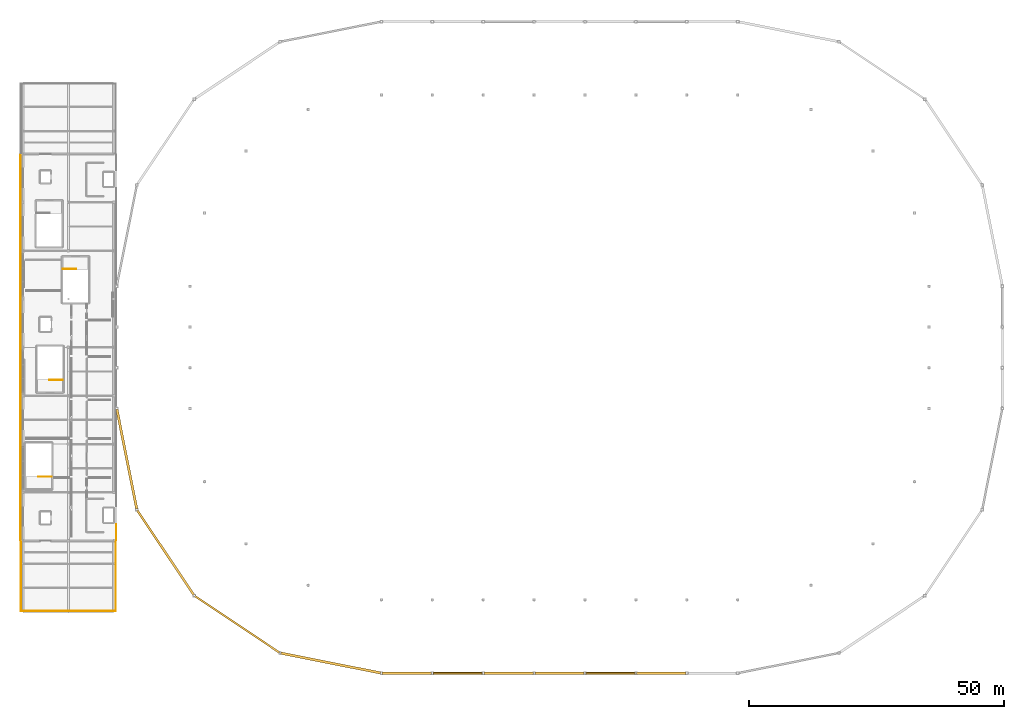
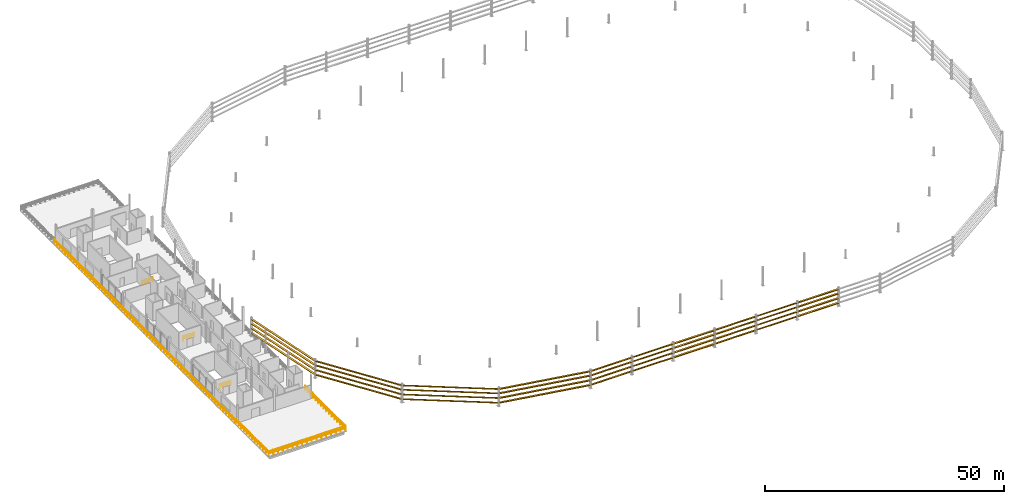
# One storey, part 27 of 29: 40 shading devices, 8 railings.
"""IFC4 building model written with IfcOpenShell, lengths in metres."""

import ifcopenshell
import ifcopenshell.guid

model = None  # the IFC model being written
_history = None  # IfcOwnerHistory: only IFC2X3 demands one
_inside = {}  # id of a spatial element -> (the spatial element, [elements in it])
_under = {}  # id of a project, library or spatial element -> (it, [spatial elements below it])
_declared = {}  # id of a project -> (the project, [libraries it declares])
_typed = {}  # id of a type object -> (the type object, [elements of that type])
_made_of = {}  # id of a material, layer set ... -> (it, [elements and type objects made of it])


def new_model(schema):
    """Start an empty IFC model of exactly this schema.

    Asked for "IFC4X3", IfcOpenShell would pick the latest addendum, in which some entities
    have other attributes; the version numbers below select the first issue.
    IFC2X3 requires an IfcOwnerHistory on every rooted entity: one is made here for all.
    """
    global model, _history
    if schema == "IFC4X3":
        model = ifcopenshell.file(schema_version=(4, 3, 0, 0))
    else:
        model = ifcopenshell.file(schema=schema)
    _inside.clear()
    _under.clear()
    _declared.clear()
    _typed.clear()
    _made_of.clear()
    _history = None
    if model.schema == "IFC2X3":
        org = make("IfcOrganization", Name="unknown")
        user = make(
            "IfcPersonAndOrganization",
            ThePerson=make("IfcPerson", FamilyName="unknown"),
            TheOrganization=org,
        )
        app = make(
            "IfcApplication",
            ApplicationDeveloper=org,
            Version="unknown",
            ApplicationFullName="unknown",
            ApplicationIdentifier="unknown",
        )
        _history = make(
            "IfcOwnerHistory",
            OwningUser=user,
            OwningApplication=app,
            ChangeAction="ADDED",
            CreationDate=0,
        )
    return model


def make(cls, **values):
    """One entity of the class cls with the attributes given. An attribute that is None is left unset."""
    return model.create_entity(
        cls, **{name: value for name, value in values.items() if value is not None}
    )


def rooted(cls, **values):
    """An entity with a GlobalId (a new one), such as an element, a storey or a relation."""
    return make(cls, GlobalId=ifcopenshell.guid.new(), OwnerHistory=_history, **values)


def si_unit(unit_type, name, prefix=None):
    """IfcSIUnit, for example si_unit("LENGTHUNIT", "METRE", prefix="MILLI")."""
    return make("IfcSIUnit", UnitType=unit_type, Prefix=prefix, Name=name)


def assignment(units):
    """IfcUnitAssignment: the units of a project."""
    return None if units is None else make("IfcUnitAssignment", Units=units)


def point(xyz):
    """IfcCartesianPoint."""
    return None if xyz is None else make("IfcCartesianPoint", Coordinates=xyz)


def direction(xyz):
    """IfcDirection."""
    return None if xyz is None else make("IfcDirection", DirectionRatios=xyz)


def frame(location, z_axis=None, x_axis=None):
    """IfcAxis2Placement3D, a coordinate frame: its origin and axes. An axis left out is left unset."""
    return make(
        "IfcAxis2Placement3D",
        Location=point(location),
        Axis=direction(z_axis),
        RefDirection=direction(x_axis),
    )


def frame_2d(location, x_axis=None):
    """IfcAxis2Placement2D, a coordinate frame in the plane: its origin and x axis."""
    return make(
        "IfcAxis2Placement2D", Location=point(location), RefDirection=direction(x_axis)
    )


def origin():
    """The frame at (0, 0, 0) with its axes left unset."""
    return frame((0.0, 0.0, 0.0))


def origin_2d():
    """The frame at (0, 0) in the plane with its x axis left unset."""
    return frame_2d((0.0, 0.0))


def place(relative_to, where):
    """IfcLocalPlacement: puts the frame where relative to a parent placement (None: the world)."""
    return make(
        "IfcLocalPlacement", PlacementRelTo=relative_to, RelativePlacement=where
    )


def context(
    kind, dimensions, precision=None, world=None, true_north=None, identifier=None
):
    """IfcGeometricRepresentationContext, for example the 3D "Model" context."""
    return make(
        "IfcGeometricRepresentationContext",
        ContextIdentifier=identifier,
        ContextType=kind,
        CoordinateSpaceDimension=dimensions,
        Precision=precision,
        WorldCoordinateSystem=world,
        TrueNorth=true_north,
    )


def subcontext(parent, identifier, kind, view, scale=None):
    """IfcGeometricRepresentationSubContext, for example "Body" below "Model"."""
    return make(
        "IfcGeometricRepresentationSubContext",
        ContextIdentifier=identifier,
        ContextType=kind,
        ParentContext=parent,
        TargetScale=scale,
        TargetView=view,
    )


def project(units=None, contexts=None):
    """IfcProject with its units and contexts."""
    return rooted(
        "IfcProject",
        Name="project",
        RepresentationContexts=contexts,
        UnitsInContext=assignment(units),
    )


def spatial(cls, under=None, at=None, **own):
    """A site, building, storey or space (cls), placed at a placement, below another one or the project."""
    s = rooted(cls, ObjectPlacement=at, **own)
    if under is not None:
        _under.setdefault(under.id(), (under, []))[1].append(s)
    return s


def profile(cls, at=None, kind="AREA", **sizes):
    """A parametric profile (cls). Its sizes go by their IFC names, for example OverallWidth=200.0."""
    return make(cls, ProfileType=kind, Position=at, **sizes)


def rectangle(**sizes):
    """IfcRectangleProfileDef."""
    return profile("IfcRectangleProfileDef", **sizes)


def circle(**sizes):
    """IfcCircleProfileDef."""
    return profile("IfcCircleProfileDef", **sizes)


def extrude(swept, where, along, depth):
    """IfcExtrudedAreaSolid: the profile swept, set in the frame where, extruded along a direction by depth."""
    return make(
        "IfcExtrudedAreaSolid",
        SweptArea=swept,
        Position=where,
        ExtrudedDirection=direction(along),
        Depth=depth,
    )


def shape(context_of_items, identifier, shape_type, items):
    """IfcShapeRepresentation: the items that make up one representation, for example the "Body"."""
    return make(
        "IfcShapeRepresentation",
        ContextOfItems=context_of_items,
        RepresentationIdentifier=identifier,
        RepresentationType=shape_type,
        Items=items,
    )


def material(Name=None, Category=None):
    """IfcMaterial."""
    return make("IfcMaterial", Name=Name, Category=Category)


def layer(
    of_material, thickness, ventilated=None, Name=None, Category=None, Priority=None
):
    """IfcMaterialLayer: one layer of a wall or slab, of a material (None: an air gap)."""
    return make(
        "IfcMaterialLayer",
        Material=of_material,
        LayerThickness=thickness,
        IsVentilated=ventilated,
        Name=Name,
        Category=Category,
        Priority=Priority,
    )


def layer_set(layers, Name=None):
    """IfcMaterialLayerSet."""
    return make("IfcMaterialLayerSet", MaterialLayers=layers, LayerSetName=Name)


def made_of(thing, what):
    """Note that an element or type object is made of a material, layer set ...; save() writes the relation."""
    if what is not None:
        _made_of.setdefault(what.id(), (what, []))[1].append(thing)
    return thing


def type_object(cls, material=None, **own):
    """A type object (cls), such as IfcWallType, which elements share."""
    return made_of(rooted(cls, **own), material)


def element(
    cls,
    number,
    at=None,
    inside=None,
    cuts=None,
    type_object=None,
    material=None,
    context=None,
    identifier="Body",
    shape_type=None,
    held_by="IfcProductDefinitionShape",
    body=None,
    shapes=None,
    **own,
):
    """One element of the class cls, such as IfcWall. Its Tag is "e" and its number.

    at: its placement. inside: the storey or other place that contains it. cuts: it is an
    opening in that element (IfcRelVoidsElement). A single representation is given by context,
    identifier, shape_type and body (its items); several are given by shapes. held_by: the class
    of the entity that holds the representations. save() writes the other relations.
    """
    e = rooted(cls, Tag="e%d" % number, ObjectPlacement=at, **own)
    if body is not None:
        shapes = [shape(context, identifier, shape_type, body)]
    if shapes is not None:
        e.Representation = make(held_by, Representations=shapes)
    if inside is not None:
        _inside.setdefault(inside.id(), (inside, []))[1].append(e)
    if cuts is not None:
        rooted(
            "IfcRelVoidsElement", RelatingBuildingElement=cuts, RelatedOpeningElement=e
        )
    if type_object is not None:
        _typed.setdefault(type_object.id(), (type_object, []))[1].append(e)
    return made_of(e, material)


def aggregate(whole, parts):
    """IfcRelAggregates: a whole, such as a stair, and the parts it consists of."""
    return rooted("IfcRelAggregates", RelatingObject=whole, RelatedObjects=parts)


def save(model, path):
    """Write the relations noted so far, then the file.

    IfcRelAggregates (storeys below a building ...), IfcRelContainedInSpatialStructure (elements
    in a storey), IfcRelDefinesByType, IfcRelAssociatesMaterial and IfcRelDeclares: one each for
    every whole, place, type object, material and project.
    """
    for whole, parts in _under.values():
        aggregate(whole, parts)
    for where, things in _inside.values():
        rooted(
            "IfcRelContainedInSpatialStructure",
            RelatedElements=things,
            RelatingStructure=where,
        )
    for kind, things in _typed.values():
        rooted("IfcRelDefinesByType", RelatedObjects=things, RelatingType=kind)
    for what, things in _made_of.values():
        rooted("IfcRelAssociatesMaterial", RelatedObjects=things, RelatingMaterial=what)
    for by, libraries in _declared.values():
        rooted("IfcRelDeclares", RelatingContext=by, RelatedDefinitions=libraries)
    model.write(path)


model = new_model("IFC4")

# Units and contexts
model_context = context("Model", 3, precision=1e-05, world=origin(), true_north=direction((0.0, 1.0)))
body_context = subcontext(model_context, "Body", "Model", "MODEL_VIEW")
ifc_project = project(units=[si_unit("LENGTHUNIT", "METRE"), si_unit("AREAUNIT", "SQUARE_METRE"), si_unit("VOLUMEUNIT", "CUBIC_METRE"), si_unit("PLANEANGLEUNIT", "RADIAN"), si_unit("MASSUNIT", "GRAM", prefix="KILO")], contexts=[model_context])

# Site, building, storey
site_placement = place(None, origin())
site = spatial("IfcSite", under=ifc_project, at=site_placement, CompositionType="ELEMENT")
building_placement = place(site_placement, origin())
building = spatial("IfcBuilding", under=site, at=building_placement, Name="Candeia Ridge Stadium", CompositionType="ELEMENT")
storey_placement = place(building_placement, frame((0.0, 0.0, 27.0)))
storey = spatial("IfcBuildingStorey", under=building, at=storey_placement, Name="L05", CompositionType="ELEMENT", Elevation=27.0)

# Railings
ifc_material_1 = material(Name="Laminated Glass & Stainless Steel", Category="steel")
ifc_layer_1 = layer(ifc_material_1, 0.080078125, Name="Laminated Glass & Stainless Steel", Category="steel")
ifc_layer_set_1 = layer_set([ifc_layer_1], Name="Laminated Glass & Stainless Steel")
railing_type_1 = type_object("IfcRailingType", Name="Planted Terrace Glass-Steel Guard 1150", PredefinedType="BALUSTRADE", material=ifc_layer_set_1)
railing_1_placement = place(storey_placement, frame((0.199951171875, 44.800048828125, 0.0)))
element("IfcRailing", 1, at=railing_1_placement, inside=storey, type_object=railing_type_1, Name="Terrace perimeter balustrade GR-TER-214", PredefinedType="BALUSTRADE", context=body_context, shape_type="SweptSolid", body=[
    extrude(circle(Radius=0.02392578125, at=origin_2d()), frame((0.0, 0.0, 1.1259765625), z_axis=(0.0, -1.0, 0.0), x_axis=(1.0, 0.0, 0.0)), (0.0, 0.0, 1.0), 13.60009765625),
    extrude(circle(Radius=0.02392578125, at=origin_2d()), frame((0.0, 0.0, 0.574951171875), z_axis=(0.0, -1.0, 0.0), x_axis=(1.0, 0.0, 0.0)), (0.0, 0.0, 1.0), 13.60009765625),
    extrude(circle(Radius=0.02099609375, at=origin_2d()), origin(), (0.0, 0.0, 1.0), 1.101806640625),
    extrude(circle(Radius=0.02099609375, at=origin_2d()), frame((0.0, -1.13330078125, 0.0)), (0.0, 0.0, 1.0), 1.101806640625),
    extrude(circle(Radius=0.02099609375, at=origin_2d()), frame((0.0, -2.2666015625, 0.0)), (0.0, 0.0, 1.0), 1.101806640625),
    extrude(circle(Radius=0.02099609375, at=origin_2d()), frame((0.0, -3.39990234375, 0.0)), (0.0, 0.0, 1.0), 1.101806640625),
    extrude(circle(Radius=0.02099609375, at=origin_2d()), frame((0.0, -4.533447265625, 0.0)), (0.0, 0.0, 1.0), 1.101806640625),
    extrude(circle(Radius=0.02099609375, at=origin_2d()), frame((0.0, -5.666748046875, 0.0)), (0.0, 0.0, 1.0), 1.101806640625),
    extrude(circle(Radius=0.02099609375, at=origin_2d()), frame((0.0, -6.800048828125, 0.0)), (0.0, 0.0, 1.0), 1.101806640625),
    extrude(circle(Radius=0.02099609375, at=origin_2d()), frame((0.0, -7.933349609375, 0.0)), (0.0, 0.0, 1.0), 1.101806640625),
    extrude(circle(Radius=0.02099609375, at=origin_2d()), frame((0.0, -9.066650390625, 0.0)), (0.0, 0.0, 1.0), 1.101806640625),
    extrude(circle(Radius=0.02099609375, at=origin_2d()), frame((0.0, -10.2001953125, 0.0)), (0.0, 0.0, 1.0), 1.101806640625),
    extrude(circle(Radius=0.02099609375, at=origin_2d()), frame((0.0, -11.33349609375, 0.0)), (0.0, 0.0, 1.0), 1.101806640625),
    extrude(circle(Radius=0.02099609375, at=origin_2d()), frame((0.0, -12.466796875, 0.0)), (0.0, 0.0, 1.0), 1.101806640625),
    extrude(circle(Radius=0.02099609375, at=origin_2d()), frame((0.0, -13.60009765625, 0.0)), (0.0, 0.0, 1.0), 1.101806640625),
])
railing_2_placement = place(storey_placement, frame((0.199951171875, 31.199951171875, 0.0)))
element("IfcRailing", 2, at=railing_2_placement, inside=storey, type_object=railing_type_1, Name="Terrace perimeter balustrade GR-TER-215", PredefinedType="BALUSTRADE", context=body_context, shape_type="SweptSolid", body=[
    extrude(circle(Radius=0.02392578125, at=origin_2d()), frame((0.0, 0.0, 1.1259765625), z_axis=(1.0, 0.0, 0.0), x_axis=(0.0, 1.0, 0.0)), (0.0, 0.0, 1.0), 18.60009765625),
    extrude(circle(Radius=0.02392578125, at=origin_2d()), frame((0.0, 0.0, 0.574951171875), z_axis=(1.0, 0.0, 0.0), x_axis=(0.0, 1.0, 0.0)), (0.0, 0.0, 1.0), 18.60009765625),
    extrude(circle(Radius=0.02099609375, at=origin_2d()), origin(), (0.0, 0.0, 1.0), 1.101806640625),
    extrude(circle(Radius=0.02099609375, at=origin_2d()), frame((1.16259765625, 0.0, 0.0)), (0.0, 0.0, 1.0), 1.101806640625),
    extrude(circle(Radius=0.02099609375, at=origin_2d()), frame((2.324951171875, 0.0, 0.0)), (0.0, 0.0, 1.0), 1.101806640625),
    extrude(circle(Radius=0.02099609375, at=origin_2d()), frame((3.487548828125, 0.0, 0.0)), (0.0, 0.0, 1.0), 1.101806640625),
    extrude(circle(Radius=0.02099609375, at=origin_2d()), frame((4.64990234375, 0.0, 0.0)), (0.0, 0.0, 1.0), 1.101806640625),
    extrude(circle(Radius=0.02099609375, at=origin_2d()), frame((5.8125, 0.0, 0.0)), (0.0, 0.0, 1.0), 1.101806640625),
    extrude(circle(Radius=0.02099609375, at=origin_2d()), frame((6.97509765625, 0.0, 0.0)), (0.0, 0.0, 1.0), 1.101806640625),
    extrude(circle(Radius=0.02099609375, at=origin_2d()), frame((8.137451171875, 0.0, 0.0)), (0.0, 0.0, 1.0), 1.101806640625),
    extrude(circle(Radius=0.02099609375, at=origin_2d()), frame((9.300048828125, 0.0, 0.0)), (0.0, 0.0, 1.0), 1.101806640625),
    extrude(circle(Radius=0.02099609375, at=origin_2d()), frame((10.462646484375, 0.0, 0.0)), (0.0, 0.0, 1.0), 1.101806640625),
    extrude(circle(Radius=0.02099609375, at=origin_2d()), frame((11.625, 0.0, 0.0)), (0.0, 0.0, 1.0), 1.101806640625),
    extrude(circle(Radius=0.02099609375, at=origin_2d()), frame((12.78759765625, 0.0, 0.0)), (0.0, 0.0, 1.0), 1.101806640625),
    extrude(circle(Radius=0.02099609375, at=origin_2d()), frame((13.9501953125, 0.0, 0.0)), (0.0, 0.0, 1.0), 1.101806640625),
    extrude(circle(Radius=0.02099609375, at=origin_2d()), frame((15.112548828125, 0.0, 0.0)), (0.0, 0.0, 1.0), 1.101806640625),
    extrude(circle(Radius=0.02099609375, at=origin_2d()), frame((16.275146484375, 0.0, 0.0)), (0.0, 0.0, 1.0), 1.101806640625),
    extrude(circle(Radius=0.02099609375, at=origin_2d()), frame((17.4375, 0.0, 0.0)), (0.0, 0.0, 1.0), 1.101806640625),
    extrude(circle(Radius=0.02099609375, at=origin_2d()), frame((18.60009765625, 0.0, 0.0)), (0.0, 0.0, 1.0), 1.101806640625),
])
railing_3_placement = place(storey_placement, frame((18.800048828125, 31.199951171875, 0.0)))
element("IfcRailing", 3, at=railing_3_placement, inside=storey, type_object=railing_type_1, Name="Terrace perimeter balustrade GR-TER-216", PredefinedType="BALUSTRADE", context=body_context, shape_type="SweptSolid", body=[
    extrude(circle(Radius=0.02392578125, at=origin_2d()), frame((0.0, 0.0, 1.1259765625), z_axis=(0.0, 1.0, 0.0), x_axis=(-1.0, 0.0, 0.0)), (0.0, 0.0, 1.0), 13.60009765625),
    extrude(circle(Radius=0.02392578125, at=origin_2d()), frame((0.0, 0.0, 0.574951171875), z_axis=(0.0, 1.0, 0.0), x_axis=(-1.0, 0.0, 0.0)), (0.0, 0.0, 1.0), 13.60009765625),
    extrude(circle(Radius=0.02099609375, at=origin_2d()), origin(), (0.0, 0.0, 1.0), 1.101806640625),
    extrude(circle(Radius=0.02099609375, at=origin_2d()), frame((0.0, 1.13330078125, 0.0)), (0.0, 0.0, 1.0), 1.101806640625),
    extrude(circle(Radius=0.02099609375, at=origin_2d()), frame((0.0, 2.2666015625, 0.0)), (0.0, 0.0, 1.0), 1.101806640625),
    extrude(circle(Radius=0.02099609375, at=origin_2d()), frame((0.0, 3.39990234375, 0.0)), (0.0, 0.0, 1.0), 1.101806640625),
    extrude(circle(Radius=0.02099609375, at=origin_2d()), frame((0.0, 4.533447265625, 0.0)), (0.0, 0.0, 1.0), 1.101806640625),
    extrude(circle(Radius=0.02099609375, at=origin_2d()), frame((0.0, 5.666748046875, 0.0)), (0.0, 0.0, 1.0), 1.101806640625),
    extrude(circle(Radius=0.02099609375, at=origin_2d()), frame((0.0, 6.800048828125, 0.0)), (0.0, 0.0, 1.0), 1.101806640625),
    extrude(circle(Radius=0.02099609375, at=origin_2d()), frame((0.0, 7.933349609375, 0.0)), (0.0, 0.0, 1.0), 1.101806640625),
    extrude(circle(Radius=0.02099609375, at=origin_2d()), frame((0.0, 9.066650390625, 0.0)), (0.0, 0.0, 1.0), 1.101806640625),
    extrude(circle(Radius=0.02099609375, at=origin_2d()), frame((0.0, 10.2001953125, 0.0)), (0.0, 0.0, 1.0), 1.101806640625),
    extrude(circle(Radius=0.02099609375, at=origin_2d()), frame((0.0, 11.33349609375, 0.0)), (0.0, 0.0, 1.0), 1.101806640625),
    extrude(circle(Radius=0.02099609375, at=origin_2d()), frame((0.0, 12.466796875, 0.0)), (0.0, 0.0, 1.0), 1.101806640625),
    extrude(circle(Radius=0.02099609375, at=origin_2d()), frame((0.0, 13.60009765625, 0.0)), (0.0, 0.0, 1.0), 1.101806640625),
])
ifc_material_2 = material(Name="Galvanized Powder-Coated Steel", Category="steel")
ifc_layer_2 = layer(ifc_material_2, 0.074951171875, Name="Galvanized Powder-Coated Steel", Category="steel")
ifc_layer_set_2 = layer_set([ifc_layer_2], Name="Galvanized Powder-Coated Steel")
railing_type_2 = type_object("IfcRailingType", Name="Spectator Bowl Front Guardrail 1120", PredefinedType="GUARDRAIL", material=ifc_layer_set_2)
railing_4_placement = place(storey_placement, frame((18.919921875, 48.215087890625, 0.0)))
element("IfcRailing", 4, at=railing_4_placement, inside=storey, type_object=railing_type_2, Name="Deck edge safety guardrail GR-DE-L05-0250", PredefinedType="GUARDRAIL", context=body_context, shape_type="SweptSolid", body=[
    extrude(circle(Radius=0.02392578125, at=origin_2d()), frame((0.0, 0.0, 1.09619140625), z_axis=(0.0, -1.0, 0.0), x_axis=(1.0, 0.0, 0.0)), (0.0, 0.0, 1.0), 3.0458984375),
    extrude(circle(Radius=0.02392578125, at=origin_2d()), frame((0.0, 0.0, 0.56005859375), z_axis=(0.0, -1.0, 0.0), x_axis=(1.0, 0.0, 0.0)), (0.0, 0.0, 1.0), 3.0458984375),
    extrude(circle(Radius=0.02099609375, at=origin_2d()), origin(), (0.0, 0.0, 1.0), 1.072021484375),
    extrude(circle(Radius=0.02099609375, at=origin_2d()), frame((0.0, -1.015380859375, 0.0)), (0.0, 0.0, 1.0), 1.072021484375),
    extrude(circle(Radius=0.02099609375, at=origin_2d()), frame((0.0, -2.030517578125, 0.0)), (0.0, 0.0, 1.0), 1.072021484375),
    extrude(circle(Radius=0.02099609375, at=origin_2d()), frame((0.0, -3.0458984375, 0.0)), (0.0, 0.0, 1.0), 1.072021484375),
])
railing_5_placement = place(storey_placement, frame((0.080078125, 45.169189453125, 0.0)))
element("IfcRailing", 5, at=railing_5_placement, inside=storey, type_object=railing_type_2, Name="Deck edge safety guardrail GR-DE-L05-0251", PredefinedType="GUARDRAIL", context=body_context, shape_type="SweptSolid", body=[
    extrude(circle(Radius=0.02392578125, at=origin_2d()), frame((0.0, 0.0, 1.09619140625), z_axis=(0.0, 1.0, 0.0), x_axis=(-1.0, 0.0, 0.0)), (0.0, 0.0, 1.0), 75.66162109375),
    extrude(circle(Radius=0.02392578125, at=origin_2d()), frame((0.0, 0.0, 0.56005859375), z_axis=(0.0, 1.0, 0.0), x_axis=(-1.0, 0.0, 0.0)), (0.0, 0.0, 1.0), 75.66162109375),
    extrude(circle(Radius=0.02099609375, at=origin_2d()), origin(), (0.0, 0.0, 1.0), 1.072021484375),
    extrude(circle(Radius=0.02099609375, at=origin_2d()), frame((0.0, 1.18212890625, 0.0)), (0.0, 0.0, 1.0), 1.072021484375),
    extrude(circle(Radius=0.02099609375, at=origin_2d()), frame((0.0, 2.364501953125, 0.0)), (0.0, 0.0, 1.0), 1.072021484375),
    extrude(circle(Radius=0.02099609375, at=origin_2d()), frame((0.0, 3.546630859375, 0.0)), (0.0, 0.0, 1.0), 1.072021484375),
    extrude(circle(Radius=0.02099609375, at=origin_2d()), frame((0.0, 4.728759765625, 0.0)), (0.0, 0.0, 1.0), 1.072021484375),
    extrude(circle(Radius=0.02099609375, at=origin_2d()), frame((0.0, 5.9111328125, 0.0)), (0.0, 0.0, 1.0), 1.072021484375),
    extrude(circle(Radius=0.02099609375, at=origin_2d()), frame((0.0, 7.09326171875, 0.0)), (0.0, 0.0, 1.0), 1.072021484375),
    extrude(circle(Radius=0.02099609375, at=origin_2d()), frame((0.0, 8.275390625, 0.0)), (0.0, 0.0, 1.0), 1.072021484375),
    extrude(circle(Radius=0.02099609375, at=origin_2d()), frame((0.0, 9.457763671875, 0.0)), (0.0, 0.0, 1.0), 1.072021484375),
    extrude(circle(Radius=0.02099609375, at=origin_2d()), frame((0.0, 10.639892578125, 0.0)), (0.0, 0.0, 1.0), 1.072021484375),
    extrude(circle(Radius=0.02099609375, at=origin_2d()), frame((0.0, 11.822021484375, 0.0)), (0.0, 0.0, 1.0), 1.072021484375),
    extrude(circle(Radius=0.02099609375, at=origin_2d()), frame((0.0, 13.00439453125, 0.0)), (0.0, 0.0, 1.0), 1.072021484375),
    extrude(circle(Radius=0.02099609375, at=origin_2d()), frame((0.0, 14.1865234375, 0.0)), (0.0, 0.0, 1.0), 1.072021484375),
    extrude(circle(Radius=0.02099609375, at=origin_2d()), frame((0.0, 15.36865234375, 0.0)), (0.0, 0.0, 1.0), 1.072021484375),
    extrude(circle(Radius=0.02099609375, at=origin_2d()), frame((0.0, 16.551025390625, 0.0)), (0.0, 0.0, 1.0), 1.072021484375),
    extrude(circle(Radius=0.02099609375, at=origin_2d()), frame((0.0, 17.733154296875, 0.0)), (0.0, 0.0, 1.0), 1.072021484375),
    extrude(circle(Radius=0.02099609375, at=origin_2d()), frame((0.0, 18.91552734375, 0.0)), (0.0, 0.0, 1.0), 1.072021484375),
    extrude(circle(Radius=0.02099609375, at=origin_2d()), frame((0.0, 20.09765625, 0.0)), (0.0, 0.0, 1.0), 1.072021484375),
    extrude(circle(Radius=0.02099609375, at=origin_2d()), frame((0.0, 21.27978515625, 0.0)), (0.0, 0.0, 1.0), 1.072021484375),
    extrude(circle(Radius=0.02099609375, at=origin_2d()), frame((0.0, 22.462158203125, 0.0)), (0.0, 0.0, 1.0), 1.072021484375),
    extrude(circle(Radius=0.02099609375, at=origin_2d()), frame((0.0, 23.644287109375, 0.0)), (0.0, 0.0, 1.0), 1.072021484375),
    extrude(circle(Radius=0.02099609375, at=origin_2d()), frame((0.0, 24.826416015625, 0.0)), (0.0, 0.0, 1.0), 1.072021484375),
    extrude(circle(Radius=0.02099609375, at=origin_2d()), frame((0.0, 26.0087890625, 0.0)), (0.0, 0.0, 1.0), 1.072021484375),
    extrude(circle(Radius=0.02099609375, at=origin_2d()), frame((0.0, 27.19091796875, 0.0)), (0.0, 0.0, 1.0), 1.072021484375),
    extrude(circle(Radius=0.02099609375, at=origin_2d()), frame((0.0, 28.373046875, 0.0)), (0.0, 0.0, 1.0), 1.072021484375),
    extrude(circle(Radius=0.02099609375, at=origin_2d()), frame((0.0, 29.555419921875, 0.0)), (0.0, 0.0, 1.0), 1.072021484375),
    extrude(circle(Radius=0.02099609375, at=origin_2d()), frame((0.0, 30.737548828125, 0.0)), (0.0, 0.0, 1.0), 1.072021484375),
    extrude(circle(Radius=0.02099609375, at=origin_2d()), frame((0.0, 31.919677734375, 0.0)), (0.0, 0.0, 1.0), 1.072021484375),
    extrude(circle(Radius=0.02099609375, at=origin_2d()), frame((0.0, 33.10205078125, 0.0)), (0.0, 0.0, 1.0), 1.072021484375),
    extrude(circle(Radius=0.02099609375, at=origin_2d()), frame((0.0, 34.2841796875, 0.0)), (0.0, 0.0, 1.0), 1.072021484375),
    extrude(circle(Radius=0.02099609375, at=origin_2d()), frame((0.0, 35.46630859375, 0.0)), (0.0, 0.0, 1.0), 1.072021484375),
    extrude(circle(Radius=0.02099609375, at=origin_2d()), frame((0.0, 36.648681640625, 0.0)), (0.0, 0.0, 1.0), 1.072021484375),
    extrude(circle(Radius=0.02099609375, at=origin_2d()), frame((0.0, 37.830810546875, 0.0)), (0.0, 0.0, 1.0), 1.072021484375),
    extrude(circle(Radius=0.02099609375, at=origin_2d()), frame((0.0, 39.012939453125, 0.0)), (0.0, 0.0, 1.0), 1.072021484375),
    extrude(circle(Radius=0.02099609375, at=origin_2d()), frame((0.0, 40.1953125, 0.0)), (0.0, 0.0, 1.0), 1.072021484375),
    extrude(circle(Radius=0.02099609375, at=origin_2d()), frame((0.0, 41.37744140625, 0.0)), (0.0, 0.0, 1.0), 1.072021484375),
    extrude(circle(Radius=0.02099609375, at=origin_2d()), frame((0.0, 42.5595703125, 0.0)), (0.0, 0.0, 1.0), 1.072021484375),
    extrude(circle(Radius=0.02099609375, at=origin_2d()), frame((0.0, 43.741943359375, 0.0)), (0.0, 0.0, 1.0), 1.072021484375),
    extrude(circle(Radius=0.02099609375, at=origin_2d()), frame((0.0, 44.924072265625, 0.0)), (0.0, 0.0, 1.0), 1.072021484375),
    extrude(circle(Radius=0.02099609375, at=origin_2d()), frame((0.0, 46.106201171875, 0.0)), (0.0, 0.0, 1.0), 1.072021484375),
    extrude(circle(Radius=0.02099609375, at=origin_2d()), frame((0.0, 47.28857421875, 0.0)), (0.0, 0.0, 1.0), 1.072021484375),
    extrude(circle(Radius=0.02099609375, at=origin_2d()), frame((0.0, 48.470703125, 0.0)), (0.0, 0.0, 1.0), 1.072021484375),
    extrude(circle(Radius=0.02099609375, at=origin_2d()), frame((0.0, 49.65283203125, 0.0)), (0.0, 0.0, 1.0), 1.072021484375),
    extrude(circle(Radius=0.02099609375, at=origin_2d()), frame((0.0, 50.835205078125, 0.0)), (0.0, 0.0, 1.0), 1.072021484375),
    extrude(circle(Radius=0.02099609375, at=origin_2d()), frame((0.0, 52.017333984375, 0.0)), (0.0, 0.0, 1.0), 1.072021484375),
    extrude(circle(Radius=0.02099609375, at=origin_2d()), frame((0.0, 53.199462890625, 0.0)), (0.0, 0.0, 1.0), 1.072021484375),
    extrude(circle(Radius=0.02099609375, at=origin_2d()), frame((0.0, 54.3818359375, 0.0)), (0.0, 0.0, 1.0), 1.072021484375),
    extrude(circle(Radius=0.02099609375, at=origin_2d()), frame((0.0, 55.56396484375, 0.0)), (0.0, 0.0, 1.0), 1.072021484375),
    extrude(circle(Radius=0.02099609375, at=origin_2d()), frame((0.0, 56.74609375, 0.0)), (0.0, 0.0, 1.0), 1.072021484375),
    extrude(circle(Radius=0.02099609375, at=origin_2d()), frame((0.0, 57.928466796875, 0.0)), (0.0, 0.0, 1.0), 1.072021484375),
    extrude(circle(Radius=0.02099609375, at=origin_2d()), frame((0.0, 59.110595703125, 0.0)), (0.0, 0.0, 1.0), 1.072021484375),
    extrude(circle(Radius=0.02099609375, at=origin_2d()), frame((0.0, 60.29296875, 0.0)), (0.0, 0.0, 1.0), 1.072021484375),
    extrude(circle(Radius=0.02099609375, at=origin_2d()), frame((0.0, 61.47509765625, 0.0)), (0.0, 0.0, 1.0), 1.072021484375),
    extrude(circle(Radius=0.02099609375, at=origin_2d()), frame((0.0, 62.6572265625, 0.0)), (0.0, 0.0, 1.0), 1.072021484375),
    extrude(circle(Radius=0.02099609375, at=origin_2d()), frame((0.0, 63.839599609375, 0.0)), (0.0, 0.0, 1.0), 1.072021484375),
    extrude(circle(Radius=0.02099609375, at=origin_2d()), frame((0.0, 65.021728515625, 0.0)), (0.0, 0.0, 1.0), 1.072021484375),
    extrude(circle(Radius=0.02099609375, at=origin_2d()), frame((0.0, 66.203857421875, 0.0)), (0.0, 0.0, 1.0), 1.072021484375),
    extrude(circle(Radius=0.02099609375, at=origin_2d()), frame((0.0, 67.38623046875, 0.0)), (0.0, 0.0, 1.0), 1.072021484375),
    extrude(circle(Radius=0.02099609375, at=origin_2d()), frame((0.0, 68.568359375, 0.0)), (0.0, 0.0, 1.0), 1.072021484375),
    extrude(circle(Radius=0.02099609375, at=origin_2d()), frame((0.0, 69.75048828125, 0.0)), (0.0, 0.0, 1.0), 1.072021484375),
    extrude(circle(Radius=0.02099609375, at=origin_2d()), frame((0.0, 70.932861328125, 0.0)), (0.0, 0.0, 1.0), 1.072021484375),
    extrude(circle(Radius=0.02099609375, at=origin_2d()), frame((0.0, 72.114990234375, 0.0)), (0.0, 0.0, 1.0), 1.072021484375),
    extrude(circle(Radius=0.02099609375, at=origin_2d()), frame((0.0, 73.297119140625, 0.0)), (0.0, 0.0, 1.0), 1.072021484375),
    extrude(circle(Radius=0.02099609375, at=origin_2d()), frame((0.0, 74.4794921875, 0.0)), (0.0, 0.0, 1.0), 1.072021484375),
    extrude(circle(Radius=0.02099609375, at=origin_2d()), frame((0.0, 75.66162109375, 0.0)), (0.0, 0.0, 1.0), 1.072021484375),
])
ifc_layer_3 = layer(ifc_material_2, 0.06005859375, Name="Galvanized Powder-Coated Steel", Category="steel")
ifc_layer_set_3 = layer_set([ifc_layer_3], Name="Galvanized Powder-Coated Steel")
railing_type_3 = type_object("IfcRailingType", Name="Stair Well Guardrail 1100", PredefinedType="GUARDRAIL", material=ifc_layer_set_3)
for number, where, name in (
    (6, (6.199951171875, 57.60009765625, 0.0), "L05 ST05 top well guard 1"),
    (7, (8.39990234375, 76.60009765625, 0.0), "L05 ST07 top well guard 1"),
):
    element("IfcRailing", number, at=place(storey_placement, frame(where)), inside=storey, type_object=railing_type_3, Name=name, PredefinedType="GUARDRAIL", context=body_context, shape_type="SweptSolid", body=[
        extrude(circle(Radius=0.02392578125, at=origin_2d()), frame((0.0, 0.0, 1.076171875), z_axis=(-1.0, 0.0, 0.0), x_axis=(0.0, -1.0, 0.0)), (0.0, 0.0, 1.0), 2.599853515625),
        extrude(circle(Radius=0.02392578125, at=origin_2d()), frame((0.0, 0.0, 0.550048828125), z_axis=(-1.0, 0.0, 0.0), x_axis=(0.0, -1.0, 0.0)), (0.0, 0.0, 1.0), 2.599853515625),
        extrude(circle(Radius=0.02099609375, at=origin_2d()), origin(), (0.0, 0.0, 1.0), 1.052001953125),
        extrude(circle(Radius=0.02099609375, at=origin_2d()), frame((-0.86669921875, 0.0, 0.0)), (0.0, 0.0, 1.0), 1.052001953125),
        extrude(circle(Radius=0.02099609375, at=origin_2d()), frame((-1.733154296875, 0.0, 0.0)), (0.0, 0.0, 1.0), 1.052001953125),
        extrude(circle(Radius=0.02099609375, at=origin_2d()), frame((-2.599853515625, 0.0, 0.0)), (0.0, 0.0, 1.0), 1.052001953125),
    ])
railing_6_placement = place(storey_placement, frame((8.39990234375, 98.39990234375, 0.0)))
element("IfcRailing", 8, at=railing_6_placement, inside=storey, type_object=railing_type_3, Name="L05 ST08 top well guard 1", PredefinedType="GUARDRAIL", context=body_context, shape_type="SweptSolid", body=[
    extrude(circle(Radius=0.02392578125, at=origin_2d()), frame((0.0, 0.0, 1.076171875), z_axis=(1.0, 0.0, 0.0), x_axis=(0.0, 1.0, 0.0)), (0.0, 0.0, 1.0), 2.60009765625),
    extrude(circle(Radius=0.02392578125, at=origin_2d()), frame((0.0, 0.0, 0.550048828125), z_axis=(1.0, 0.0, 0.0), x_axis=(0.0, 1.0, 0.0)), (0.0, 0.0, 1.0), 2.60009765625),
    extrude(circle(Radius=0.02099609375, at=origin_2d()), origin(), (0.0, 0.0, 1.0), 1.052001953125),
    extrude(circle(Radius=0.02099609375, at=origin_2d()), frame((0.86669921875, 0.0, 0.0)), (0.0, 0.0, 1.0), 1.052001953125),
    extrude(circle(Radius=0.02099609375, at=origin_2d()), frame((1.7333984375, 0.0, 0.0)), (0.0, 0.0, 1.0), 1.052001953125),
    extrude(circle(Radius=0.02099609375, at=origin_2d()), frame((2.60009765625, 0.0, 0.0)), (0.0, 0.0, 1.0), 1.052001953125),
])

# Shading devices
ifc_material_3 = material(Name="Aluminium Anodized Warm Bronze", Category="aluminium")
shading_device_type_1 = type_object("IfcShadingDeviceType", Name="Weathered Bronze Horizontal Solar Rib 380x85", PredefinedType="JALOUSIE", material=ifc_material_3)
for number, where, z_axis, x_axis, name in (
    (9, (42.66552734375, 28.59423828125, 0.757568359375), (0.0, 0.0, 1.0), (0.831469626973, -0.555570211063, 0.0), "Upper bowl horizontal solar rib L05 bay 17-1"),
    (10, (42.66552734375, 28.59423828125, 1.95751953125), (0.0, 0.0, 1.0), (0.831469626973, -0.555570211063, 0.0), "Upper bowl horizontal solar rib L05 bay 17-2"),
    (11, (42.66552734375, 28.59423828125, 3.157470703125), (0.0, 0.0, 1.0), (0.831469626973, -0.555570211063, 0.0), "Upper bowl horizontal solar rib L05 bay 17-3"),
    (12, (42.66552734375, 28.59423828125, 4.257568359375), (0.0, 0.0, 1.0), (0.831469626973, -0.555570211063, 0.0), "Upper bowl horizontal solar rib L05 bay 17-4"),
):
    element("IfcShadingDevice", number, at=place(storey_placement, frame(where, z_axis=z_axis, x_axis=x_axis)), inside=storey, type_object=shading_device_type_1, Name=name, PredefinedType="JALOUSIE", context=body_context, shape_type="SweptSolid", body=[
        extrude(rectangle(XDim=19.989501953125, YDim=0.3798828125, at=origin_2d()), origin(), (0.0, 0.0, 1.0), 0.0849609375),
    ])
for number, where, z_axis, x_axis, name in (
    (13, (86.0, 19.0, 0.757568359375), (0.0, 0.0, 1.0), (1.0, 0.0, 0.0), "Upper bowl horizontal solar rib L05 bay 20-1"),
    (14, (86.0, 19.0, 1.95751953125), (0.0, 0.0, 1.0), (1.0, 0.0, 0.0), "Upper bowl horizontal solar rib L05 bay 20-2"),
    (15, (86.0, 19.0, 3.157470703125), (0.0, 0.0, 1.0), (1.0, 0.0, 0.0), "Upper bowl horizontal solar rib L05 bay 20-3"),
    (16, (86.0, 19.0, 4.257568359375), (0.0, 0.0, 1.0), (1.0, 0.0, 0.0), "Upper bowl horizontal solar rib L05 bay 20-4"),
    (17, (116.0, 19.0, 0.757568359375), (0.0, 0.0, 1.0), (1.0, 0.0, 0.0), "Upper bowl horizontal solar rib L05 bay 23-1"),
    (18, (116.0, 19.0, 1.95751953125), (0.0, 0.0, 1.0), (1.0, 0.0, 0.0), "Upper bowl horizontal solar rib L05 bay 23-2"),
    (19, (116.0, 19.0, 3.157470703125), (0.0, 0.0, 1.0), (1.0, 0.0, 0.0), "Upper bowl horizontal solar rib L05 bay 23-3"),
    (20, (116.0, 19.0, 4.257568359375), (0.0, 0.0, 1.0), (1.0, 0.0, 0.0), "Upper bowl horizontal solar rib L05 bay 23-4"),
):
    element("IfcShadingDevice", number, at=place(storey_placement, frame(where, z_axis=z_axis, x_axis=x_axis)), inside=storey, type_object=shading_device_type_1, Name=name, PredefinedType="JALOUSIE", context=body_context, shape_type="SweptSolid", body=[
        extrude(rectangle(XDim=9.699951171875, YDim=0.3798828125, at=origin_2d()), origin(), (0.0, 0.0, 1.0), 0.0849609375),
    ])
shading_device_type_2 = type_object("IfcShadingDeviceType", Name="Weathered Bronze Horizontal Solar Rib 440x95", PredefinedType="JALOUSIE", material=ifc_material_3)
for number, where, z_axis, x_axis, name in (
    (21, (28.59423828125, 42.66552734375, 0.75244140625), (0.0, 0.0, 1.0), (0.555570211063, -0.831469626973, 0.0), "Upper bowl horizontal solar rib L05 bay 16-1"),
    (22, (28.59423828125, 42.66552734375, 1.95263671875), (0.0, 0.0, 1.0), (0.555570211063, -0.831469626973, 0.0), "Upper bowl horizontal solar rib L05 bay 16-2"),
    (23, (28.59423828125, 42.66552734375, 3.15234375), (0.0, 0.0, 1.0), (0.555570211063, -0.831469626973, 0.0), "Upper bowl horizontal solar rib L05 bay 16-3"),
    (24, (28.59423828125, 42.66552734375, 4.25244140625), (0.0, 0.0, 1.0), (0.555570211063, -0.831469626973, 0.0), "Upper bowl horizontal solar rib L05 bay 16-4"),
):
    element("IfcShadingDevice", number, at=place(storey_placement, frame(where, z_axis=z_axis, x_axis=x_axis)), inside=storey, type_object=shading_device_type_2, Name=name, PredefinedType="JALOUSIE", context=body_context, shape_type="SweptSolid", body=[
        extrude(rectangle(XDim=19.989501953125, YDim=0.43994140625, at=origin_2d()), origin(), (0.0, 0.0, 1.0), 0.094970703125),
    ])
for number, where, z_axis, x_axis, name in (
    (25, (76.0, 19.0, 0.75244140625), (0.0, 0.0, 1.0), (1.0, 0.0, 0.0), "Upper bowl horizontal solar rib L05 bay 19-1"),
    (26, (76.0, 19.0, 1.95263671875), (0.0, 0.0, 1.0), (1.0, 0.0, 0.0), "Upper bowl horizontal solar rib L05 bay 19-2"),
    (27, (76.0, 19.0, 3.15234375), (0.0, 0.0, 1.0), (1.0, 0.0, 0.0), "Upper bowl horizontal solar rib L05 bay 19-3"),
    (28, (76.0, 19.0, 4.25244140625), (0.0, 0.0, 1.0), (1.0, 0.0, 0.0), "Upper bowl horizontal solar rib L05 bay 19-4"),
    (29, (106.0, 19.0, 0.75244140625), (0.0, 0.0, 1.0), (1.0, 0.0, 0.0), "Upper bowl horizontal solar rib L05 bay 22-1"),
    (30, (106.0, 19.0, 1.95263671875), (0.0, 0.0, 1.0), (1.0, 0.0, 0.0), "Upper bowl horizontal solar rib L05 bay 22-2"),
    (31, (106.0, 19.0, 3.15234375), (0.0, 0.0, 1.0), (1.0, 0.0, 0.0), "Upper bowl horizontal solar rib L05 bay 22-3"),
    (32, (106.0, 19.0, 4.25244140625), (0.0, 0.0, 1.0), (1.0, 0.0, 0.0), "Upper bowl horizontal solar rib L05 bay 22-4"),
):
    element("IfcShadingDevice", number, at=place(storey_placement, frame(where, z_axis=z_axis, x_axis=x_axis)), inside=storey, type_object=shading_device_type_2, Name=name, PredefinedType="JALOUSIE", context=body_context, shape_type="SweptSolid", body=[
        extrude(rectangle(XDim=9.699951171875, YDim=0.43994140625, at=origin_2d()), origin(), (0.0, 0.0, 1.0), 0.094970703125),
    ])
shading_device_type_3 = type_object("IfcShadingDeviceType", Name="Weathered Bronze Horizontal Solar Rib 500x105", PredefinedType="JALOUSIE", material=ifc_material_3)
for number, where, z_axis, x_axis, name in (
    (33, (20.979248046875, 61.05029296875, 0.74755859375), (0.0, 0.0, 1.0), (0.195090311899, -0.980785282416, 0.0), "Upper bowl horizontal solar rib L05 bay 15-1"),
    (34, (20.979248046875, 61.05029296875, 1.947509765625), (0.0, 0.0, 1.0), (0.195090311899, -0.980785282416, 0.0), "Upper bowl horizontal solar rib L05 bay 15-2"),
    (35, (20.979248046875, 61.05029296875, 3.1474609375), (0.0, 0.0, 1.0), (0.195090311899, -0.980785282416, 0.0), "Upper bowl horizontal solar rib L05 bay 15-3"),
    (36, (20.979248046875, 61.05029296875, 4.24755859375), (0.0, 0.0, 1.0), (0.195090311899, -0.980785282416, 0.0), "Upper bowl horizontal solar rib L05 bay 15-4"),
    (37, (61.05029296875, 20.979248046875, 0.74755859375), (0.0, 0.0, 1.0), (0.980785282416, -0.195090311899, 0.0), "Upper bowl horizontal solar rib L05 bay 18-1"),
    (38, (61.05029296875, 20.979248046875, 1.947509765625), (0.0, 0.0, 1.0), (0.980785282416, -0.195090311899, 0.0), "Upper bowl horizontal solar rib L05 bay 18-2"),
    (39, (61.05029296875, 20.979248046875, 3.1474609375), (0.0, 0.0, 1.0), (0.980785282416, -0.195090311899, 0.0), "Upper bowl horizontal solar rib L05 bay 18-3"),
    (40, (61.05029296875, 20.979248046875, 4.24755859375), (0.0, 0.0, 1.0), (0.980785282416, -0.195090311899, 0.0), "Upper bowl horizontal solar rib L05 bay 18-4"),
):
    element("IfcShadingDevice", number, at=place(storey_placement, frame(where, z_axis=z_axis, x_axis=x_axis)), inside=storey, type_object=shading_device_type_3, Name=name, PredefinedType="JALOUSIE", context=body_context, shape_type="SweptSolid", body=[
        extrude(rectangle(XDim=19.989501953125, YDim=0.5, at=origin_2d()), origin(), (0.0, 0.0, 1.0), 0.10498046875),
    ])
for number, where, z_axis, x_axis, name in (
    (41, (96.0, 19.0, 0.74755859375), (0.0, 0.0, 1.0), (1.0, 0.0, 0.0), "Upper bowl horizontal solar rib L05 bay 21-1"),
    (42, (96.0, 19.0, 1.947509765625), (0.0, 0.0, 1.0), (1.0, 0.0, 0.0), "Upper bowl horizontal solar rib L05 bay 21-2"),
    (43, (96.0, 19.0, 3.1474609375), (0.0, 0.0, 1.0), (1.0, 0.0, 0.0), "Upper bowl horizontal solar rib L05 bay 21-3"),
    (44, (96.0, 19.0, 4.24755859375), (0.0, 0.0, 1.0), (1.0, 0.0, 0.0), "Upper bowl horizontal solar rib L05 bay 21-4"),
    (45, (126.0, 19.0, 0.74755859375), (0.0, 0.0, 1.0), (1.0, 0.0, 0.0), "Upper bowl horizontal solar rib L05 bay 24-1"),
    (46, (126.0, 19.0, 1.947509765625), (0.0, 0.0, 1.0), (1.0, 0.0, 0.0), "Upper bowl horizontal solar rib L05 bay 24-2"),
    (47, (126.0, 19.0, 3.1474609375), (0.0, 0.0, 1.0), (1.0, 0.0, 0.0), "Upper bowl horizontal solar rib L05 bay 24-3"),
    (48, (126.0, 19.0, 4.24755859375), (0.0, 0.0, 1.0), (1.0, 0.0, 0.0), "Upper bowl horizontal solar rib L05 bay 24-4"),
):
    element("IfcShadingDevice", number, at=place(storey_placement, frame(where, z_axis=z_axis, x_axis=x_axis)), inside=storey, type_object=shading_device_type_3, Name=name, PredefinedType="JALOUSIE", context=body_context, shape_type="SweptSolid", body=[
        extrude(rectangle(XDim=9.699951171875, YDim=0.5, at=origin_2d()), origin(), (0.0, 0.0, 1.0), 0.10498046875),
    ])

save(model, "model.ifc")
